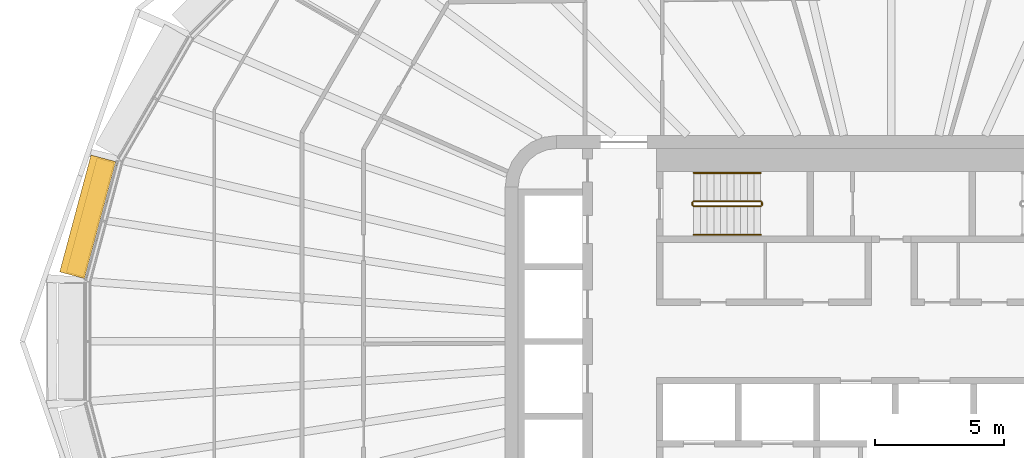
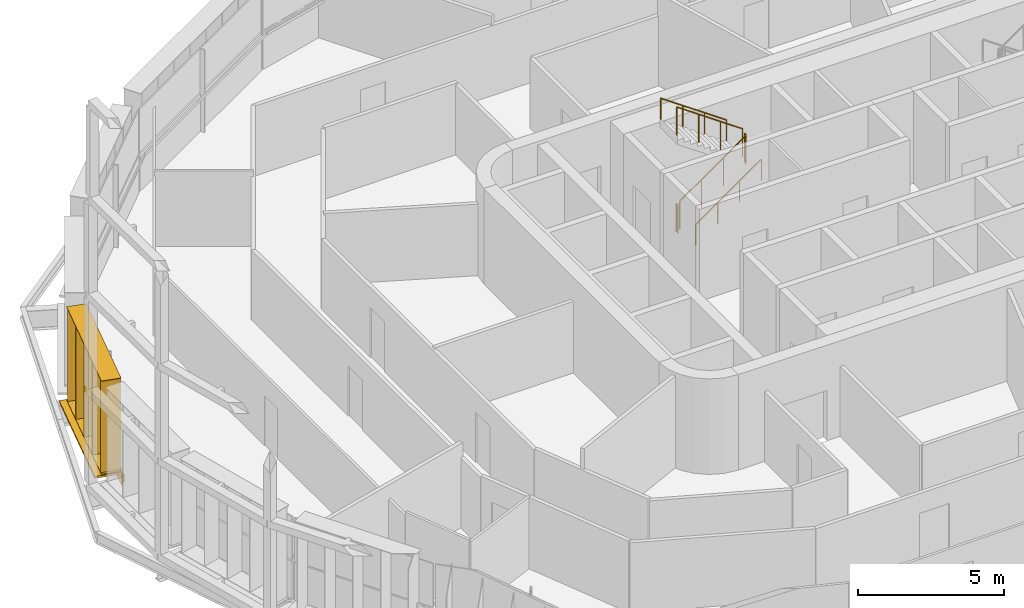
# One storey, part 19 of 24: 6 railings, 2 shading devices.
"""IFC4 building model written with IfcOpenShell, lengths in metres."""

from ifc_helpers import new_model, si_unit, direction, frame, origin, origin_2d, place, context, subcontext, project, spatial, rectangle, circle, extrude, material, type_object, element, save


model = new_model("IFC4")

# Units and contexts
model_context = context("Model", 3, precision=1e-05, world=origin(), true_north=direction((0.0, 1.0)))
body_context = subcontext(model_context, "Body", "Model", "MODEL_VIEW")
ifc_project = project(units=[si_unit("LENGTHUNIT", "METRE"), si_unit("AREAUNIT", "SQUARE_METRE"), si_unit("VOLUMEUNIT", "CUBIC_METRE"), si_unit("PLANEANGLEUNIT", "RADIAN"), si_unit("MASSUNIT", "GRAM", prefix="KILO")], contexts=[model_context])

# Site, building, storey
site_placement = place(None, origin())
site = spatial("IfcSite", under=ifc_project, at=site_placement, CompositionType="ELEMENT")
building_placement = place(site_placement, origin())
building = spatial("IfcBuilding", under=site, at=building_placement, Name="Sahrelin Media Tower", CompositionType="ELEMENT")
storey_placement = place(building_placement, frame((0.0, 0.0, 153.60009765625)))
storey = spatial("IfcBuildingStorey", under=building, at=storey_placement, Name="L31", CompositionType="ELEMENT", Elevation=153.60009765625)

# Shading device
ifc_material_1 = material(Name="Champagne anodised aluminium 6063-T6", Category="aluminium")
shading_device_type_1 = type_object("IfcShadingDeviceType", Name="Fin cassette", PredefinedType="USERDEFINED", material=ifc_material_1)
placement = place(storey_placement, frame((-30.71728515625, 4.709716796875, 0.0), z_axis=(0.0, 0.0, 1.0), x_axis=(0.258807731996, 0.965928857556, 0.0)))
element("IfcShadingDevice", 1, at=placement, inside=storey, type_object=shading_device_type_1, Name="L31:FIN:L31-11", ObjectType="FIN", PredefinedType="USERDEFINED", context=body_context, shape_type="SweptSolid", body=[
    extrude(rectangle(XDim=4.60009765625, YDim=0.699951171875, at=origin_2d()), frame((0.0, 0.419921875, 0.0)), (0.0, 0.0, 1.0), 0.02001953125),
    extrude(rectangle(XDim=4.60009765625, YDim=0.699951171875, at=origin_2d()), frame((0.0, 0.419921875, 3.89990234375)), (0.0, 0.0, 1.0), 0.02001953125),
    extrude(rectangle(XDim=0.02001953125, YDim=0.699951171875, at=origin_2d()), frame((-2.199951171875, 0.419921875, 0.010009765625), z_axis=(0.0, 0.0, 1.0), x_axis=(1.0, 0.0, 0.0)), (0.0, 0.0, 1.0), 3.89990234375),
    extrude(rectangle(XDim=0.02001953125, YDim=0.699951171875, at=origin_2d()), frame((-1.10009765625, 0.419921875, 0.010009765625), z_axis=(0.0, 0.0, 1.0), x_axis=(1.0, 0.0, 0.0)), (0.0, 0.0, 1.0), 3.89990234375),
    extrude(rectangle(XDim=0.02001953125, YDim=0.699951171875, at=origin_2d()), frame((0.0, 0.419921875, 0.010009765625), z_axis=(0.0, 0.0, 1.0), x_axis=(1.0, 0.0, 0.0)), (0.0, 0.0, 1.0), 3.89990234375),
    extrude(rectangle(XDim=0.02001953125, YDim=0.699951171875, at=origin_2d()), frame((1.10009765625, 0.419921875, 0.010009765625), z_axis=(0.0, 0.0, 1.0), x_axis=(1.0, 0.0, 0.0)), (0.0, 0.0, 1.0), 3.89990234375),
    extrude(rectangle(XDim=0.02001953125, YDim=0.699951171875, at=origin_2d()), frame((2.199951171875, 0.419921875, 0.010009765625), z_axis=(0.0, 0.0, 1.0), x_axis=(1.0, 0.0, 0.0)), (0.0, 0.0, 1.0), 3.89990234375),
])

# Railings
ifc_material_2 = material(Name="Steel S355", Category="steel")
railing_type_1 = type_object("IfcRailingType", Name="Stair guard 1200", PredefinedType="GUARDRAIL", material=ifc_material_2)
railing_1_placement = place(storey_placement, frame((-7.675048828125, 5.25, 0.181640625)))
element("IfcRailing", 2, at=railing_1_placement, inside=storey, type_object=railing_type_1, Name="L31 ST1 stair guard 1", PredefinedType="GUARDRAIL", context=body_context, shape_type="SweptSolid", body=[
    extrude(circle(Radius=0.02392578125, at=origin_2d()), frame((0.0, 0.0, 1.17578125), z_axis=(0.819484887739, 0.0, 0.573100792852), x_axis=(0.0, 1.0, 0.0)), (0.0, 0.0, 1.0), 3.1728515625),
    extrude(circle(Radius=0.02099609375, at=origin_2d()), origin(), (0.0, 0.0, 1.0), 1.15185546875),
    extrude(circle(Radius=0.02099609375, at=origin_2d()), frame((0.86669921875, 0.0, 0.606201171875)), (0.0, 0.0, 1.0), 1.15185546875),
    extrude(circle(Radius=0.02099609375, at=origin_2d()), frame((1.7333984375, 0.0, 1.212158203125)), (0.0, 0.0, 1.0), 1.15185546875),
    extrude(circle(Radius=0.02099609375, at=origin_2d()), frame((2.60009765625, 0.0, 1.818359375)), (0.0, 0.0, 1.0), 1.15185546875),
])
railing_2_placement = place(storey_placement, frame((-5.02490234375, 5.300048828125, 2.0)))
element("IfcRailing", 3, at=railing_2_placement, inside=storey, type_object=railing_type_1, Name="L31 ST1 stair guard 2", PredefinedType="GUARDRAIL", context=body_context, shape_type="SweptSolid", body=[
    extrude(circle(Radius=0.02392578125, at=origin_2d()), frame((0.0, 0.0, 1.17578125), z_axis=(0.0, 1.0, 0.0), x_axis=(-1.0, 0.0, 0.0)), (0.0, 0.0, 1.0), 0.099853515625),
    extrude(circle(Radius=0.02099609375, at=origin_2d()), origin(), (0.0, 0.0, 1.0), 1.15185546875),
    extrude(circle(Radius=0.02099609375, at=origin_2d()), frame((0.0, 0.099853515625, 0.0)), (0.0, 0.0, 1.0), 1.15185546875),
])
railing_3_placement = place(storey_placement, frame((-5.074951171875, 5.449951171875, 2.181640625)))
element("IfcRailing", 4, at=railing_3_placement, inside=storey, type_object=railing_type_1, Name="L31 ST1 stair guard 3", PredefinedType="GUARDRAIL", context=body_context, shape_type="SweptSolid", body=[
    extrude(circle(Radius=0.02392578125, at=origin_2d()), frame((0.0, 0.0, 1.17578125), z_axis=(-0.819484887739, 0.0, 0.573100792852), x_axis=(0.0, -1.0, 0.0)), (0.0, 0.0, 1.0), 3.1728515625),
    extrude(circle(Radius=0.02099609375, at=origin_2d()), origin(), (0.0, 0.0, 1.0), 1.15185546875),
    extrude(circle(Radius=0.02099609375, at=origin_2d()), frame((-0.86669921875, 0.0, 0.606201171875)), (0.0, 0.0, 1.0), 1.15185546875),
    extrude(circle(Radius=0.02099609375, at=origin_2d()), frame((-1.7333984375, 0.0, 1.212158203125)), (0.0, 0.0, 1.0), 1.15185546875),
    extrude(circle(Radius=0.02099609375, at=origin_2d()), frame((-2.60009765625, 0.0, 1.818359375)), (0.0, 0.0, 1.0), 1.15185546875),
])
railing_4_placement = place(storey_placement, frame((-7.72509765625, 5.300048828125, 0.0)))
element("IfcRailing", 5, at=railing_4_placement, inside=storey, type_object=railing_type_1, Name="L31 ST1 stair guard 4", PredefinedType="GUARDRAIL", context=body_context, shape_type="SweptSolid", body=[
    extrude(circle(Radius=0.02392578125, at=origin_2d()), frame((0.0, 0.0, 1.17578125), z_axis=(0.0, 1.0, 0.0), x_axis=(-1.0, 0.0, 0.0)), (0.0, 0.0, 1.0), 0.099853515625),
    extrude(circle(Radius=0.02099609375, at=origin_2d()), origin(), (0.0, 0.0, 1.0), 1.15185546875),
    extrude(circle(Radius=0.02099609375, at=origin_2d()), frame((0.0, 0.099853515625, 0.0)), (0.0, 0.0, 1.0), 1.15185546875),
])
railing_type_2 = type_object("IfcRailingType", Name="Stair handrail 900", PredefinedType="HANDRAIL", material=ifc_material_2)
railing_5_placement = place(storey_placement, frame((-7.675048828125, 4.14990234375, 0.181640625)))
element("IfcRailing", 6, at=railing_5_placement, inside=storey, type_object=railing_type_2, Name="L31 ST1 stair handrail 1", PredefinedType="HANDRAIL", context=body_context, shape_type="SweptSolid", body=[
    extrude(circle(Radius=0.02392578125, at=origin_2d()), frame((0.0, 0.0, 0.8759765625), z_axis=(0.819484887739, 0.0, 0.573100792852), x_axis=(0.0, 1.0, 0.0)), (0.0, 0.0, 1.0), 3.1728515625),
    extrude(circle(Radius=0.02099609375, at=origin_2d()), origin(), (0.0, 0.0, 1.0), 0.851806640625),
    extrude(circle(Radius=0.02099609375, at=origin_2d()), frame((0.86669921875, 0.0, 0.606201171875)), (0.0, 0.0, 1.0), 0.851806640625),
    extrude(circle(Radius=0.02099609375, at=origin_2d()), frame((1.7333984375, 0.0, 1.212158203125)), (0.0, 0.0, 1.0), 0.851806640625),
    extrude(circle(Radius=0.02099609375, at=origin_2d()), frame((2.60009765625, 0.0, 1.818359375)), (0.0, 0.0, 1.0), 0.851806640625),
])
railing_6_placement = place(storey_placement, frame((-5.074951171875, 6.550048828125, 2.181640625)))
element("IfcRailing", 7, at=railing_6_placement, inside=storey, type_object=railing_type_2, Name="L31 ST1 stair handrail 2", PredefinedType="HANDRAIL", context=body_context, shape_type="SweptSolid", body=[
    extrude(circle(Radius=0.02392578125, at=origin_2d()), frame((0.0, 0.0, 0.8759765625), z_axis=(-0.819484887739, 0.0, 0.573100792852), x_axis=(0.0, -1.0, 0.0)), (0.0, 0.0, 1.0), 3.1728515625),
    extrude(circle(Radius=0.02099609375, at=origin_2d()), origin(), (0.0, 0.0, 1.0), 0.851806640625),
    extrude(circle(Radius=0.02099609375, at=origin_2d()), frame((-0.86669921875, 0.0, 0.606201171875)), (0.0, 0.0, 1.0), 0.851806640625),
    extrude(circle(Radius=0.02099609375, at=origin_2d()), frame((-1.7333984375, 0.0, 1.212158203125)), (0.0, 0.0, 1.0), 0.851806640625),
    extrude(circle(Radius=0.02099609375, at=origin_2d()), frame((-2.60009765625, 0.0, 1.818359375)), (0.0, 0.0, 1.0), 0.851806640625),
])

# Shading device
shading_device_type_2 = type_object("IfcShadingDeviceType", Name="Sunshade band", PredefinedType="USERDEFINED", material=ifc_material_1)
element("IfcShadingDevice", 8, at=placement, inside=storey, type_object=shading_device_type_2, Name="L31:SUN:L31-11", ObjectType="SUNSHADE", PredefinedType="USERDEFINED", context=body_context, shape_type="SweptSolid", body=[
    extrude(rectangle(XDim=4.70068359375, YDim=0.050048828125, at=origin_2d()), frame((0.0, 0.044921875, -0.55126953125)), (0.0, 0.0, 1.0), 0.471435546875),
    extrude(rectangle(XDim=4.70068359375, YDim=1.0, at=origin_2d()), frame((0.0, 0.52001953125, -0.080078125)), (0.0, 0.0, 1.0), 0.080078125),
    extrude(rectangle(XDim=0.10009765625, YDim=0.074951171875, at=origin_2d()), frame((-2.250244140625, -0.017578125, -0.47021484375)), (0.0, 0.0, 1.0), 0.300048828125),
    extrude(rectangle(XDim=0.10009765625, YDim=0.074951171875, at=origin_2d()), frame((-0.75, -0.017578125, -0.47021484375)), (0.0, 0.0, 1.0), 0.300048828125),
    extrude(rectangle(XDim=0.10009765625, YDim=0.074951171875, at=origin_2d()), frame((0.75, -0.017578125, -0.47021484375)), (0.0, 0.0, 1.0), 0.300048828125),
    extrude(rectangle(XDim=0.10009765625, YDim=0.074951171875, at=origin_2d()), frame((2.250244140625, -0.017578125, -0.47021484375)), (0.0, 0.0, 1.0), 0.300048828125),
])

save(model, "model.ifc")
